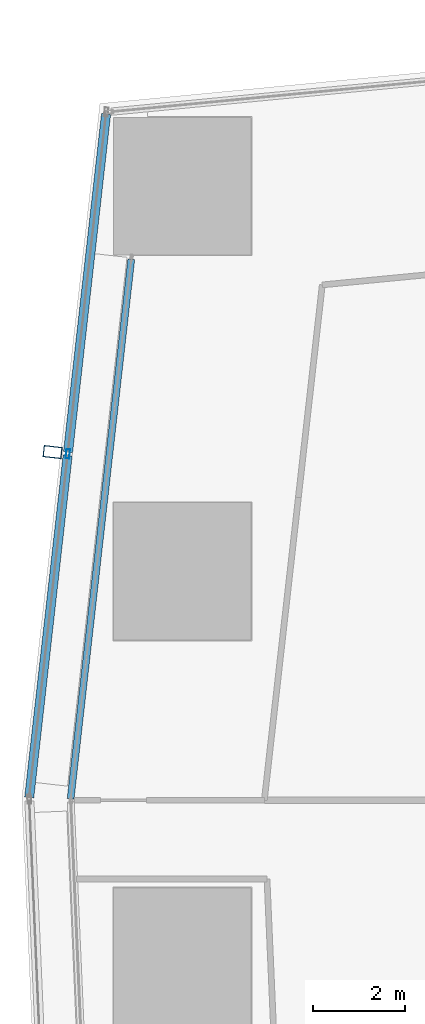
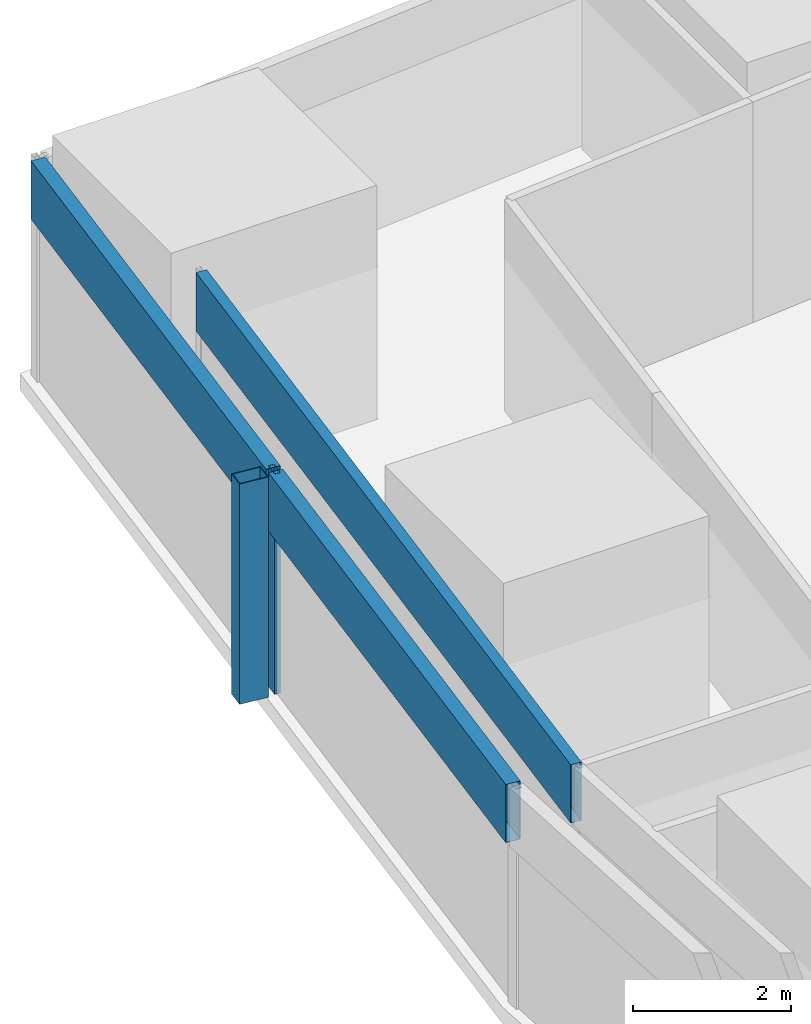
# One storey, part 15 of 44: 5 members, 2 elements without a shape of their own.
"""IFC4 building model written with IfcOpenShell, lengths in metres."""

import ifcopenshell
import ifcopenshell.guid

model = None  # the IFC model being written
_history = None  # IfcOwnerHistory: only IFC2X3 demands one
_inside = {}  # id of a spatial element -> (the spatial element, [elements in it])
_under = {}  # id of a project, library or spatial element -> (it, [spatial elements below it])
_declared = {}  # id of a project -> (the project, [libraries it declares])
_typed = {}  # id of a type object -> (the type object, [elements of that type])
_made_of = {}  # id of a material, layer set ... -> (it, [elements and type objects made of it])


def new_model(schema):
    """Start an empty IFC model of exactly this schema.

    Asked for "IFC4X3", IfcOpenShell would pick the latest addendum, in which some entities
    have other attributes; the version numbers below select the first issue.
    IFC2X3 requires an IfcOwnerHistory on every rooted entity: one is made here for all.
    """
    global model, _history
    if schema == "IFC4X3":
        model = ifcopenshell.file(schema_version=(4, 3, 0, 0))
    else:
        model = ifcopenshell.file(schema=schema)
    _inside.clear()
    _under.clear()
    _declared.clear()
    _typed.clear()
    _made_of.clear()
    _history = None
    if model.schema == "IFC2X3":
        org = make("IfcOrganization", Name="unknown")
        user = make(
            "IfcPersonAndOrganization",
            ThePerson=make("IfcPerson", FamilyName="unknown"),
            TheOrganization=org,
        )
        app = make(
            "IfcApplication",
            ApplicationDeveloper=org,
            Version="unknown",
            ApplicationFullName="unknown",
            ApplicationIdentifier="unknown",
        )
        _history = make(
            "IfcOwnerHistory",
            OwningUser=user,
            OwningApplication=app,
            ChangeAction="ADDED",
            CreationDate=0,
        )
    return model


def make(cls, **values):
    """One entity of the class cls with the attributes given. An attribute that is None is left unset."""
    return model.create_entity(
        cls, **{name: value for name, value in values.items() if value is not None}
    )


def rooted(cls, **values):
    """An entity with a GlobalId (a new one), such as an element, a storey or a relation."""
    return make(cls, GlobalId=ifcopenshell.guid.new(), OwnerHistory=_history, **values)


def si_unit(unit_type, name, prefix=None):
    """IfcSIUnit, for example si_unit("LENGTHUNIT", "METRE", prefix="MILLI")."""
    return make("IfcSIUnit", UnitType=unit_type, Prefix=prefix, Name=name)


def assignment(units):
    """IfcUnitAssignment: the units of a project."""
    return None if units is None else make("IfcUnitAssignment", Units=units)


def point(xyz):
    """IfcCartesianPoint."""
    return None if xyz is None else make("IfcCartesianPoint", Coordinates=xyz)


def direction(xyz):
    """IfcDirection."""
    return None if xyz is None else make("IfcDirection", DirectionRatios=xyz)


def frame(location, z_axis=None, x_axis=None):
    """IfcAxis2Placement3D, a coordinate frame: its origin and axes. An axis left out is left unset."""
    return make(
        "IfcAxis2Placement3D",
        Location=point(location),
        Axis=direction(z_axis),
        RefDirection=direction(x_axis),
    )


def frame_2d(location, x_axis=None):
    """IfcAxis2Placement2D, a coordinate frame in the plane: its origin and x axis."""
    return make(
        "IfcAxis2Placement2D", Location=point(location), RefDirection=direction(x_axis)
    )


def origin():
    """The frame at (0, 0, 0) with its axes left unset."""
    return frame((0.0, 0.0, 0.0))


def origin_2d():
    """The frame at (0, 0) in the plane with its x axis left unset."""
    return frame_2d((0.0, 0.0))


def place(relative_to, where):
    """IfcLocalPlacement: puts the frame where relative to a parent placement (None: the world)."""
    return make(
        "IfcLocalPlacement", PlacementRelTo=relative_to, RelativePlacement=where
    )


def context(
    kind, dimensions, precision=None, world=None, true_north=None, identifier=None
):
    """IfcGeometricRepresentationContext, for example the 3D "Model" context."""
    return make(
        "IfcGeometricRepresentationContext",
        ContextIdentifier=identifier,
        ContextType=kind,
        CoordinateSpaceDimension=dimensions,
        Precision=precision,
        WorldCoordinateSystem=world,
        TrueNorth=true_north,
    )


def subcontext(parent, identifier, kind, view, scale=None):
    """IfcGeometricRepresentationSubContext, for example "Body" below "Model"."""
    return make(
        "IfcGeometricRepresentationSubContext",
        ContextIdentifier=identifier,
        ContextType=kind,
        ParentContext=parent,
        TargetScale=scale,
        TargetView=view,
    )


def project(units=None, contexts=None):
    """IfcProject with its units and contexts."""
    return rooted(
        "IfcProject",
        Name="project",
        RepresentationContexts=contexts,
        UnitsInContext=assignment(units),
    )


def spatial(cls, under=None, at=None, **own):
    """A site, building, storey or space (cls), placed at a placement, below another one or the project."""
    s = rooted(cls, ObjectPlacement=at, **own)
    if under is not None:
        _under.setdefault(under.id(), (under, []))[1].append(s)
    return s


def profile(cls, at=None, kind="AREA", **sizes):
    """A parametric profile (cls). Its sizes go by their IFC names, for example OverallWidth=200.0."""
    return make(cls, ProfileType=kind, Position=at, **sizes)


def hollow_rectangle(**sizes):
    """IfcRectangleHollowProfileDef."""
    return profile("IfcRectangleHollowProfileDef", **sizes)


def extrude(swept, where, along, depth):
    """IfcExtrudedAreaSolid: the profile swept, set in the frame where, extruded along a direction by depth."""
    return make(
        "IfcExtrudedAreaSolid",
        SweptArea=swept,
        Position=where,
        ExtrudedDirection=direction(along),
        Depth=depth,
    )


def shape(context_of_items, identifier, shape_type, items):
    """IfcShapeRepresentation: the items that make up one representation, for example the "Body"."""
    return make(
        "IfcShapeRepresentation",
        ContextOfItems=context_of_items,
        RepresentationIdentifier=identifier,
        RepresentationType=shape_type,
        Items=items,
    )


def material(Name=None, Category=None):
    """IfcMaterial."""
    return make("IfcMaterial", Name=Name, Category=Category)


def material_profile(
    of_material, cross_section, Name=None, Category=None, Priority=None
):
    """IfcMaterialProfile: a cross section and its material."""
    return make(
        "IfcMaterialProfile",
        Name=Name,
        Material=of_material,
        Profile=cross_section,
        Priority=Priority,
        Category=Category,
    )


def profile_set(profiles, Name=None, composite=None):
    """IfcMaterialProfileSet."""
    return make(
        "IfcMaterialProfileSet",
        Name=Name,
        MaterialProfiles=profiles,
        CompositeProfile=composite,
    )


def made_of(thing, what):
    """Note that an element or type object is made of a material, layer set ...; save() writes the relation."""
    if what is not None:
        _made_of.setdefault(what.id(), (what, []))[1].append(thing)
    return thing


def type_object(cls, material=None, **own):
    """A type object (cls), such as IfcWallType, which elements share."""
    return made_of(rooted(cls, **own), material)


def element(
    cls,
    number,
    at=None,
    inside=None,
    cuts=None,
    type_object=None,
    material=None,
    context=None,
    identifier="Body",
    shape_type=None,
    held_by="IfcProductDefinitionShape",
    body=None,
    shapes=None,
    **own,
):
    """One element of the class cls, such as IfcWall. Its Tag is "e" and its number.

    at: its placement. inside: the storey or other place that contains it. cuts: it is an
    opening in that element (IfcRelVoidsElement). A single representation is given by context,
    identifier, shape_type and body (its items); several are given by shapes. held_by: the class
    of the entity that holds the representations. save() writes the other relations.
    """
    e = rooted(cls, Tag="e%d" % number, ObjectPlacement=at, **own)
    if body is not None:
        shapes = [shape(context, identifier, shape_type, body)]
    if shapes is not None:
        e.Representation = make(held_by, Representations=shapes)
    if inside is not None:
        _inside.setdefault(inside.id(), (inside, []))[1].append(e)
    if cuts is not None:
        rooted(
            "IfcRelVoidsElement", RelatingBuildingElement=cuts, RelatedOpeningElement=e
        )
    if type_object is not None:
        _typed.setdefault(type_object.id(), (type_object, []))[1].append(e)
    return made_of(e, material)


def aggregate(whole, parts):
    """IfcRelAggregates: a whole, such as a stair, and the parts it consists of."""
    return rooted("IfcRelAggregates", RelatingObject=whole, RelatedObjects=parts)


def save(model, path):
    """Write the relations noted so far, then the file.

    IfcRelAggregates (storeys below a building ...), IfcRelContainedInSpatialStructure (elements
    in a storey), IfcRelDefinesByType, IfcRelAssociatesMaterial and IfcRelDeclares: one each for
    every whole, place, type object, material and project.
    """
    for whole, parts in _under.values():
        aggregate(whole, parts)
    for where, things in _inside.values():
        rooted(
            "IfcRelContainedInSpatialStructure",
            RelatedElements=things,
            RelatingStructure=where,
        )
    for kind, things in _typed.values():
        rooted("IfcRelDefinesByType", RelatedObjects=things, RelatingType=kind)
    for what, things in _made_of.values():
        rooted("IfcRelAssociatesMaterial", RelatedObjects=things, RelatingMaterial=what)
    for by, libraries in _declared.values():
        rooted("IfcRelDeclares", RelatingContext=by, RelatedDefinitions=libraries)
    model.write(path)


model = new_model("IFC4")

# Units and contexts
model_context = context("Model", 3, precision=1e-05, world=origin(), true_north=direction((0.0, 1.0)))
body_context = subcontext(model_context, "Body", "Model", "MODEL_VIEW")
ifc_project = project(units=[si_unit("LENGTHUNIT", "METRE"), si_unit("AREAUNIT", "SQUARE_METRE"), si_unit("VOLUMEUNIT", "CUBIC_METRE"), si_unit("PLANEANGLEUNIT", "RADIAN"), si_unit("MASSUNIT", "GRAM", prefix="KILO")], contexts=[model_context])

# Site, building, storey
site_placement = place(None, origin())
site = spatial("IfcSite", under=ifc_project, at=site_placement, CompositionType="ELEMENT")
building_placement = place(site_placement, origin())
building = spatial("IfcBuilding", under=site, at=building_placement, Name="Rekha Terrace Tower", CompositionType="ELEMENT")
storey_placement = place(building_placement, frame((0.0, 0.0, 81.64990234375)))
storey = spatial("IfcBuildingStorey", under=building, at=storey_placement, Name="L20", CompositionType="ELEMENT", Elevation=81.64990234375)

# Curtain wall, member
ifc_material_1 = material(Name="Aluminium framing", Category="aluminium")
curtain_wall_type_1 = type_object("IfcCurtainWallType", Name="CW2 double skin outer glazing", PredefinedType="USERDEFINED", material=ifc_material_1)
curtain_wall_1_placement = place(storey_placement, origin())
curtain_wall_1 = element("IfcCurtainWall", 1, at=curtain_wall_1_placement, inside=storey, type_object=curtain_wall_type_1, Name="CW2 double skin outer glazing", ObjectType="DOUBLE SKIN OUTER GLAZING", PredefinedType="USERDEFINED")
ifc_material_2 = material(Name="Steel S355 with fluorocarbon finish", Category="steel")
ifc_material_profile_1 = material_profile(ifc_material_2, hollow_rectangle(XDim=0.25, YDim=0.39990234375, WallThickness=0.012451171875, at=origin_2d()), Name="RHS400x250x12.5")
ifc_profile_set_1 = profile_set([ifc_material_profile_1], Name="Steel S355 with fluorocarbon finish")
member_type_1 = type_object("IfcMemberType", Name="BL1 facade blade RHS 400 x 250", PredefinedType="USERDEFINED", material=ifc_profile_set_1)
member_1_placement = place(storey_placement, frame((5.569580078125, 53.001220703125, 0.0), z_axis=(0.0, 0.0, 1.0), x_axis=(-0.111729096216, -0.993738702607, 0.0)))
member_1 = element("IfcMember", 2, at=member_1_placement, type_object=member_type_1, Name="Facade blade", ObjectType="FACADE BLADE", PredefinedType="USERDEFINED", context=body_context, shape_type="SweptSolid", body=[
    extrude(hollow_rectangle(XDim=0.25, YDim=0.39990234375, WallThickness=0.012451171875, at=origin_2d()), origin(), (0.0, 0.0, 1.0), 3.400146484375),
])

curtain_wall_type_2 = type_object("IfcCurtainWallType", Name="CW1 double skin inner glazing", PredefinedType="USERDEFINED", material=ifc_material_1)
curtain_wall_2_placement = place(storey_placement, origin())
curtain_wall_2 = element("IfcCurtainWall", 3, at=curtain_wall_2_placement, inside=storey, type_object=curtain_wall_type_2, Name="CW1 double skin inner glazing", ObjectType="DOUBLE SKIN INNER GLAZING", PredefinedType="USERDEFINED")
ifc_material_3 = material(Name="Insulated aluminium spandrel box", Category="aluminium")
ifc_material_profile_2 = material_profile(ifc_material_3, hollow_rectangle(XDim=0.14990234375, YDim=0.89990234375, WallThickness=0.0029296875, at=origin_2d()), Name="AL SPANDREL BOX 150x900")
ifc_profile_set_2 = profile_set([ifc_material_profile_2], Name="Insulated aluminium spandrel box")
member_type_2 = type_object("IfcMemberType", Name="CW1 spandrel transom 150 x 900", PredefinedType="USERDEFINED", material=ifc_profile_set_2)
member_2_placement = place(storey_placement, frame((7.284912109375, 57.204833984375, 2.9501953125), z_axis=(-0.111721948882, -0.993739506178, 0.0), x_axis=(0.993739506178, -0.111721948882, 0.0)))
member_2 = element("IfcMember", 4, at=member_2_placement, type_object=member_type_2, Name="CW1 spandrel transom 1", ObjectType="TRANSOM", PredefinedType="USERDEFINED", context=body_context, shape_type="SweptSolid", body=[
    extrude(hollow_rectangle(XDim=0.14990234375, YDim=0.89990234375, WallThickness=0.0029296875, at=origin_2d()), origin(), (0.0, 0.0, 1.0), 11.835205078125),
])
aggregate(curtain_wall_2, [member_2])

# Member
ifc_material_4 = material(Name="Aluminium mullion section", Category="aluminium")
ifc_material_profile_3 = material_profile(ifc_material_4, hollow_rectangle(XDim=0.080078125, YDim=0.199951171875, WallThickness=0.00390625, at=origin_2d()), Name="AL RHS 80x200")
ifc_profile_set_3 = profile_set([ifc_material_profile_3], Name="Aluminium mullion section")
member_type_3 = type_object("IfcMemberType", Name="CW2 mullion RHS 80 x 200", PredefinedType="MULLION", material=ifc_profile_set_3)
member_3_placement = place(storey_placement, frame((5.90234375, 52.9638671875, 0.0), z_axis=(0.0, 0.0, 1.0), x_axis=(0.99373861552, -0.111729870782, 0.0)))
member_3 = element("IfcMember", 5, at=member_3_placement, type_object=member_type_3, Name="CW2 mullion 2", PredefinedType="MULLION", context=body_context, shape_type="SweptSolid", body=[
    extrude(hollow_rectangle(XDim=0.080078125, YDim=0.199951171875, WallThickness=0.00390625, at=origin_2d()), origin(), (0.0, 0.0, 1.0), 3.400146484375),
])

ifc_material_profile_4 = material_profile(ifc_material_3, hollow_rectangle(XDim=0.199951171875, YDim=0.89990234375, WallThickness=0.0029296875, at=origin_2d()), Name="AL SPANDREL BOX 200x900")
ifc_profile_set_4 = profile_set([ifc_material_profile_4], Name="Insulated aluminium spandrel box")
member_type_4 = type_object("IfcMemberType", Name="CW2 spandrel transom 200 x 900", PredefinedType="USERDEFINED", material=ifc_profile_set_4)
member_4_placement = place(storey_placement, frame((6.735595703125, 60.37353515625, 2.9501953125), z_axis=(-0.111728537773, -0.993738765394, 0.0), x_axis=(0.993738765394, -0.111728537773, 0.0)))
member_4 = element("IfcMember", 6, at=member_4_placement, type_object=member_type_4, Name="CW2 spandrel transom 1", ObjectType="TRANSOM", PredefinedType="USERDEFINED", context=body_context, shape_type="SweptSolid", body=[
    extrude(hollow_rectangle(XDim=0.199951171875, YDim=0.89990234375, WallThickness=0.0029296875, at=origin_2d()), origin(), (0.0, 0.0, 1.0), 7.416259765625),
])

member_5_placement = place(storey_placement, frame((5.89794921875, 52.924072265625, 2.9501953125), z_axis=(-0.111739697795, -0.993737510582, 0.0), x_axis=(0.993737510582, -0.111739697795, 0.0)))
member_5 = element("IfcMember", 7, at=member_5_placement, type_object=member_type_4, Name="CW2 spandrel transom 2", ObjectType="TRANSOM", PredefinedType="USERDEFINED", context=body_context, shape_type="SweptSolid", body=[
    extrude(hollow_rectangle(XDim=0.199951171875, YDim=0.89990234375, WallThickness=0.0029296875, at=origin_2d()), origin(), (0.0, 0.0, 1.0), 7.496337890625),
])

aggregate(curtain_wall_1, [member_3, member_4, member_5, member_1])

save(model, "model.ifc")
